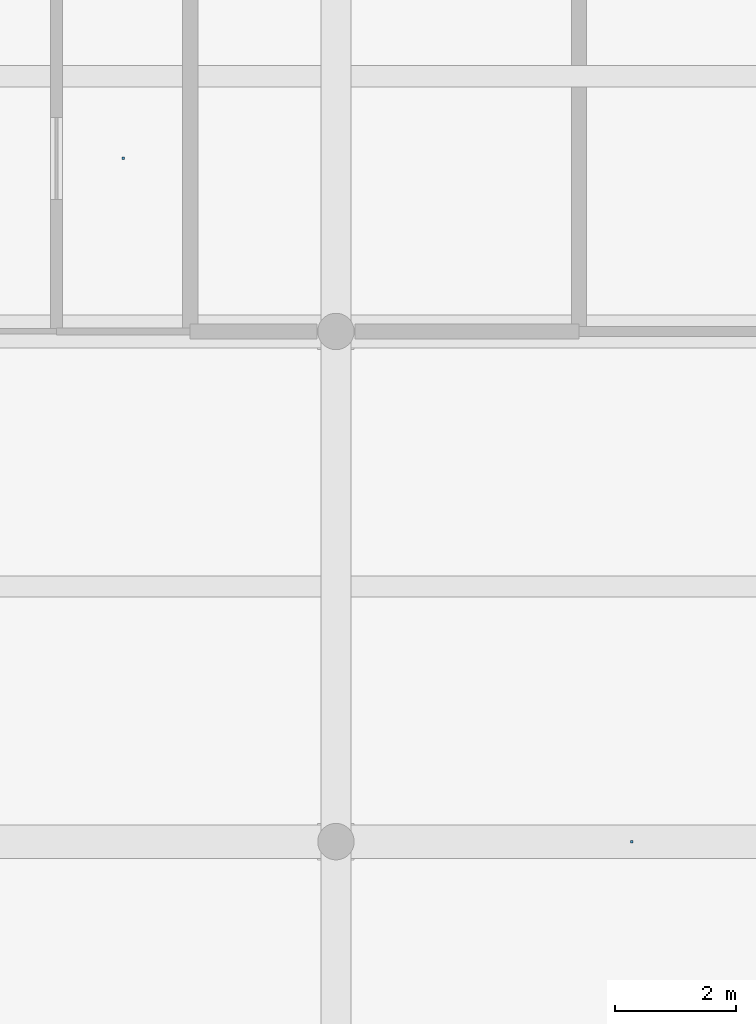
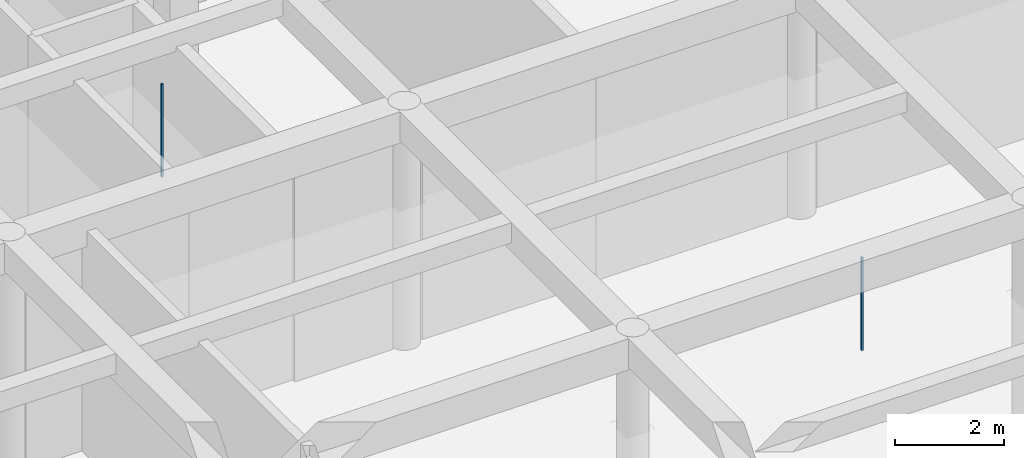
# One storey, part 122 of 157: 2 discrete accessories.
"""IFC4 building model written with IfcOpenShell, lengths in metres."""

from ifc_helpers import new_model, si_unit, direction, frame, origin, origin_2d, place, context, subcontext, project, spatial, rectangle, extrude, material, type_object, element, save


model = new_model("IFC4")

# Units and contexts
model_context = context("Model", 3, precision=1e-05, world=origin(), true_north=direction((0.0, 1.0)))
body_context = subcontext(model_context, "Body", "Model", "MODEL_VIEW")
ifc_project = project(units=[si_unit("LENGTHUNIT", "METRE"), si_unit("AREAUNIT", "SQUARE_METRE"), si_unit("VOLUMEUNIT", "CUBIC_METRE"), si_unit("PLANEANGLEUNIT", "RADIAN"), si_unit("MASSUNIT", "GRAM", prefix="KILO")], contexts=[model_context])

# Site, building, storey
site_placement = place(None, origin())
site = spatial("IfcSite", under=ifc_project, at=site_placement, CompositionType="ELEMENT")
building_placement = place(site_placement, origin())
building = spatial("IfcBuilding", under=site, at=building_placement, Name="Varncliffe General Hospital", CompositionType="ELEMENT")
storey_placement = place(building_placement, frame((0.0, 0.0, 5.39990234375)))
storey = spatial("IfcBuildingStorey", under=building, at=storey_placement, Name="L01", CompositionType="ELEMENT", Elevation=5.39990234375)

# Discrete accessories
ifc_material = material(Name="Powder-coated hospital steel guardrail and handrail", Category="steel")
discrete_accessory_type = type_object("IfcDiscreteAccessoryType", Name="Suspended Ceiling Hanger Bracket CH01", PredefinedType="BRACKET", material=ifc_material)
for number, where, z_axis, x_axis, name in (
    (1, (105.669921875, 66.0, 3.18994140625), (0.0, 0.0, 1.0), (1.0, 0.0, 0.0), "L01 Suspended Ceiling Hanger 130"),
    (2, (97.300048828125, 77.25, 3.18994140625), (0.0, 0.0, 1.0), (1.0, 0.0, 0.0), "L01 Suspended Ceiling Hanger 169"),
):
    element("IfcDiscreteAccessory", number, at=place(storey_placement, frame(where, z_axis=z_axis, x_axis=x_axis)), inside=storey, type_object=discrete_accessory_type, Name=name, PredefinedType="BRACKET", context=body_context, shape_type="SweptSolid", body=[
        extrude(rectangle(XDim=0.0400390625, YDim=0.0400390625, at=origin_2d()), origin(), (0.0, 0.0, 1.0), 2.090087890625),
    ])

save(model, "model.ifc")
